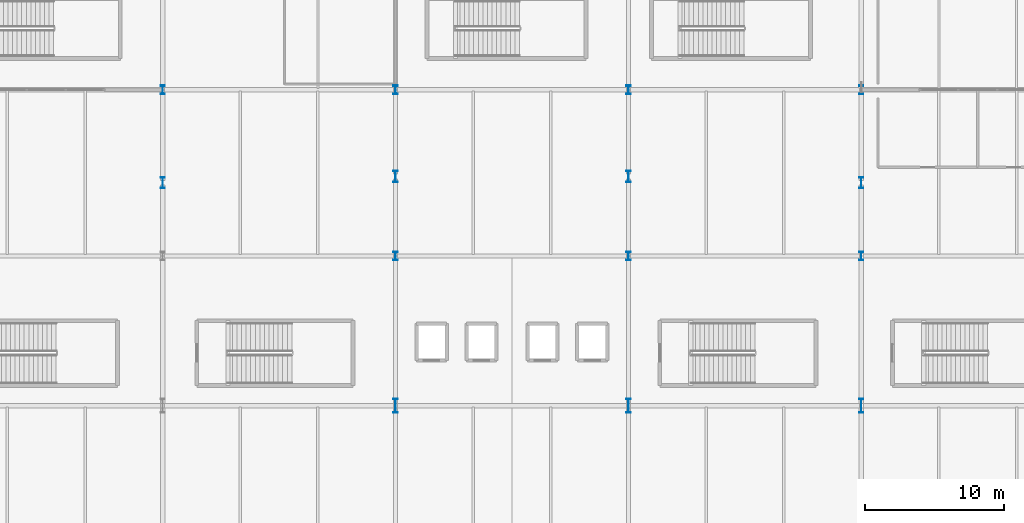
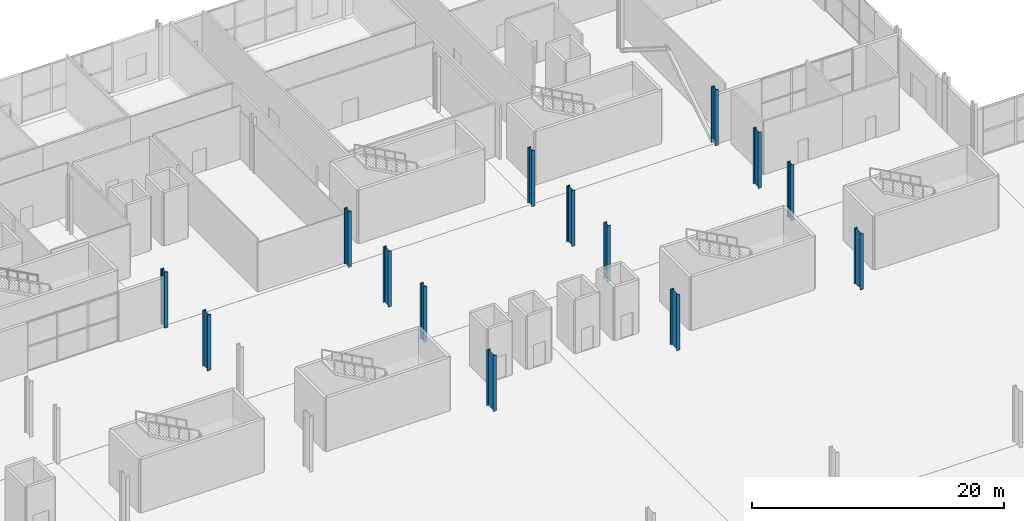
# One storey, part 10 of 87: 14 columns.
"""IFC4 building model written with IfcOpenShell, lengths in metres."""

from ifc_helpers import new_model, si_unit, direction, frame, origin, origin_2d, place, context, subcontext, project, spatial, i_section, extrude, material, material_profile, profile_set, type_object, element, save


model = new_model("IFC4")

# Units and contexts
model_context = context("Model", 3, precision=1e-05, world=origin(), true_north=direction((0.0, 1.0)))
body_context = subcontext(model_context, "Body", "Model", "MODEL_VIEW")
ifc_project = project(units=[si_unit("LENGTHUNIT", "METRE"), si_unit("AREAUNIT", "SQUARE_METRE"), si_unit("VOLUMEUNIT", "CUBIC_METRE"), si_unit("PLANEANGLEUNIT", "RADIAN"), si_unit("MASSUNIT", "GRAM", prefix="KILO")], contexts=[model_context])

# Site, building, storey
site_placement = place(None, origin())
site = spatial("IfcSite", under=ifc_project, at=site_placement, CompositionType="ELEMENT")
building_placement = place(site_placement, origin())
building = spatial("IfcBuilding", under=site, at=building_placement, Name="Kimbaza Rail Terminus", CompositionType="ELEMENT")
storey_placement = place(building_placement, origin())
storey = spatial("IfcBuildingStorey", under=building, at=storey_placement, Name="L00", CompositionType="ELEMENT", Elevation=0.0)

# Columns
ifc_material_1 = material(Name="Steel S355", Category="steel")
ifc_material_profile_1 = material_profile(ifc_material_1, i_section(OverallWidth=0.300048828125, OverallDepth=0.60009765625, WebThickness=0.015380859375, FlangeThickness=0.030029296875, FilletRadius=0.027099609375, at=origin_2d()), Name="HEB 600")
ifc_profile_set_1 = profile_set([ifc_material_profile_1], Name="Steel S355")
column_type_1 = type_object("IfcColumnType", Name="STR-COL-HEB600", PredefinedType="COLUMN", material=ifc_profile_set_1)
for number, where, z_axis, x_axis, name in (
    (1, (105.60009765625, 91.0, 0.0), (0.0, 0.0, 1.0), (1.0, 0.0, 0.0), "North Transfer Pier L00 (3,1)"),
    (2, (122.39990234375, 91.0, 0.0), (0.0, 0.0, 1.0), (1.0, 0.0, 0.0), "North Transfer Pier L00 (4,1)"),
    (3, (139.199951171875, 91.0, 0.0), (0.0, 0.0, 1.0), (1.0, 0.0, 0.0), "North Transfer Pier L00 (5,1)"),
):
    element("IfcColumn", number, at=place(storey_placement, frame(where, z_axis=z_axis, x_axis=x_axis)), inside=storey, type_object=column_type_1, Name=name, PredefinedType="COLUMN", context=body_context, shape_type="SweptSolid", body=[
        extrude(i_section(OverallWidth=0.300048828125, OverallDepth=0.60009765625, WebThickness=0.015380859375, FlangeThickness=0.030029296875, FilletRadius=0.027099609375, at=origin_2d()), origin(), (0.0, 0.0, 1.0), 5.39990234375),
    ])
ifc_material_2 = material(Name="Steel S355", Category="steel")
ifc_material_profile_2 = material_profile(ifc_material_2, i_section(OverallWidth=0.302001953125, OverallDepth=1.008056640625, WebThickness=0.02099609375, FlangeThickness=0.0400390625, FilletRadius=0.030029296875, at=origin_2d()), Name="HEM 1000")
ifc_profile_set_2 = profile_set([ifc_material_profile_2], Name="Steel S355")
column_type_2 = type_object("IfcColumnType", Name="STR-COL-HEM1000", PredefinedType="COLUMN", material=ifc_profile_set_2)
for number, where, z_axis, x_axis, name in (
    (4, (105.60009765625, 80.199951171875, 0.0), (0.0, 0.0, 1.0), (1.0, 0.0, 0.0), "North Transfer Pier L00 (3,0)"),
    (5, (122.39990234375, 80.199951171875, 0.0), (0.0, 0.0, 1.0), (1.0, 0.0, 0.0), "North Transfer Pier L00 (4,0)"),
    (6, (139.199951171875, 80.199951171875, 0.0), (0.0, 0.0, 1.0), (1.0, 0.0, 0.0), "North Transfer Pier L00 (5,0)"),
):
    element("IfcColumn", number, at=place(storey_placement, frame(where, z_axis=z_axis, x_axis=x_axis)), inside=storey, type_object=column_type_2, Name=name, PredefinedType="COLUMN", context=body_context, shape_type="SweptSolid", body=[
        extrude(i_section(OverallWidth=0.302001953125, OverallDepth=1.008056640625, WebThickness=0.02099609375, FlangeThickness=0.0400390625, FilletRadius=0.030029296875, at=origin_2d()), origin(), (0.0, 0.0, 1.0), 5.39990234375),
    ])
ifc_material_3 = material(Name="Steel S355", Category="steel")
ifc_material_profile_3 = material_profile(ifc_material_3, i_section(OverallWidth=0.304931640625, OverallDepth=0.6201171875, WebThickness=0.02099609375, FlangeThickness=0.0400390625, FilletRadius=0.027099609375, at=origin_2d()), Name="HEM 600")
ifc_profile_set_3 = profile_set([ifc_material_profile_3], Name="Steel S355")
column_type_3 = type_object("IfcColumnType", Name="STR-COL-HEM600", PredefinedType="COLUMN", material=ifc_profile_set_3)
for number, where, z_axis, x_axis, name in (
    (7, (88.800048828125, 103.0, 0.0), (0.0, 0.0, 1.0), (1.0, 0.0, 0.0), "Operations Column L00 (2,0)"),
    (8, (105.60009765625, 103.0, 0.0), (0.0, 0.0, 1.0), (1.0, 0.0, 0.0), "Operations Column L00 (3,0)"),
    (9, (122.39990234375, 103.0, 0.0), (0.0, 0.0, 1.0), (1.0, 0.0, 0.0), "Operations Column L00 (4,0)"),
    (10, (139.199951171875, 103.0, 0.0), (0.0, 0.0, 1.0), (1.0, 0.0, 0.0), "Operations Column L00 (5,0)"),
):
    element("IfcColumn", number, at=place(storey_placement, frame(where, z_axis=z_axis, x_axis=x_axis)), inside=storey, type_object=column_type_3, Name=name, PredefinedType="COLUMN", context=body_context, shape_type="SweptSolid", body=[
        extrude(i_section(OverallWidth=0.304931640625, OverallDepth=0.6201171875, WebThickness=0.02099609375, FlangeThickness=0.0400390625, FilletRadius=0.027099609375, at=origin_2d()), origin(), (0.0, 0.0, 1.0), 5.39990234375),
    ])
ifc_material_4 = material(Name="Steel S355", Category="steel")
ifc_material_profile_4 = material_profile(ifc_material_4, i_section(OverallWidth=0.302978515625, OverallDepth=0.81396484375, WebThickness=0.02099609375, FlangeThickness=0.0400390625, FilletRadius=0.030029296875, at=origin_2d()), Name="HEM 800")
ifc_profile_set_4 = profile_set([ifc_material_profile_4], Name="Steel S355")
column_type_4 = type_object("IfcColumnType", Name="STR-COL-HEM800", PredefinedType="COLUMN", material=ifc_profile_set_4)
for number, where, z_axis, x_axis, name in (
    (11, (88.800048828125, 96.28759765625, 0.0), (0.0, 0.0, 1.0), (1.0, 0.0, 0.0), "North Vault Springing Pier L00 VP-05"),
    (12, (105.60009765625, 96.7431640625, 0.0), (0.0, 0.0, 1.0), (1.0, 0.0, 0.0), "North Vault Springing Pier L00 VP-06"),
    (13, (122.39990234375, 96.7431640625, 0.0), (0.0, 0.0, 1.0), (1.0, 0.0, 0.0), "North Vault Springing Pier L00 VP-07"),
    (14, (139.199951171875, 96.28759765625, 0.0), (0.0, 0.0, 1.0), (1.0, 0.0, 0.0), "North Vault Springing Pier L00 VP-08"),
):
    element("IfcColumn", number, at=place(storey_placement, frame(where, z_axis=z_axis, x_axis=x_axis)), inside=storey, type_object=column_type_4, Name=name, PredefinedType="COLUMN", context=body_context, shape_type="SweptSolid", body=[
        extrude(i_section(OverallWidth=0.302978515625, OverallDepth=0.81396484375, WebThickness=0.02099609375, FlangeThickness=0.0400390625, FilletRadius=0.030029296875, at=origin_2d()), origin(), (0.0, 0.0, 1.0), 5.39990234375),
    ])

save(model, "model.ifc")
